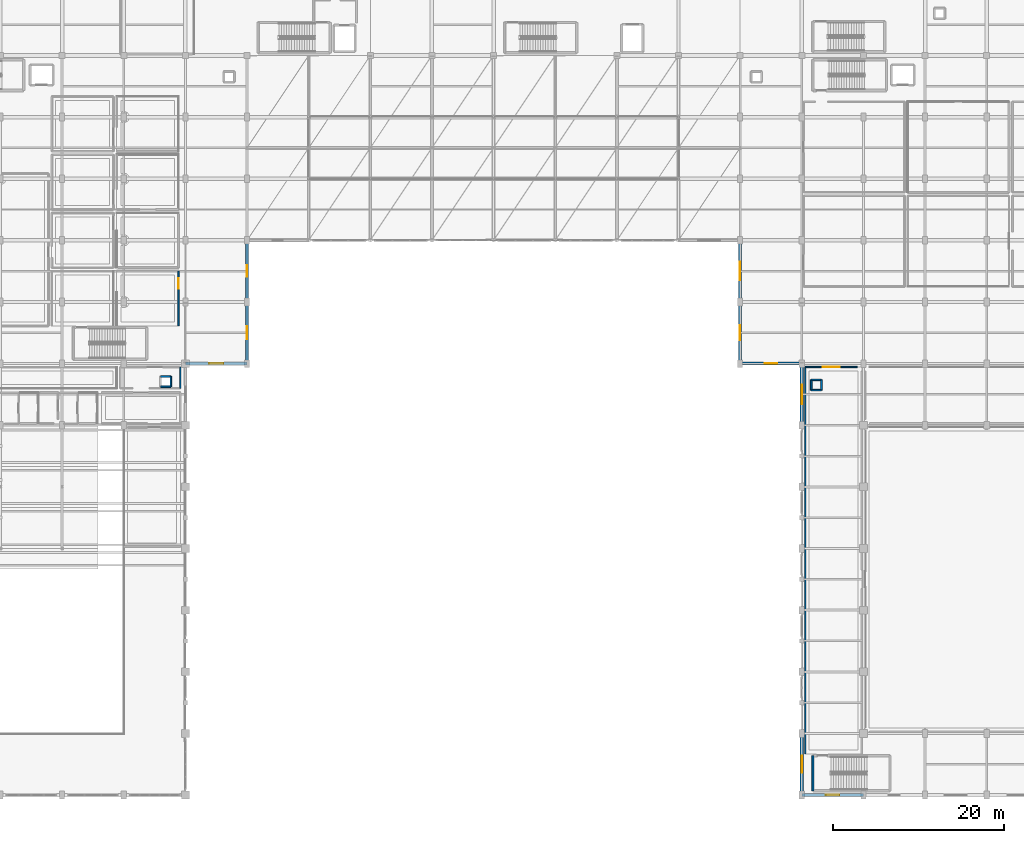
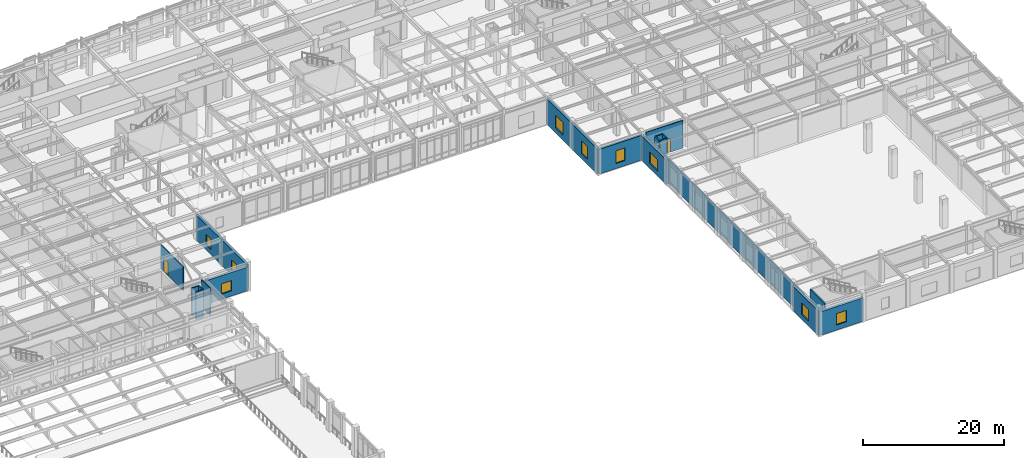
# One storey, part 88 of 117: 21 walls, 9 windows, 2 doors, 11 openings.
"""IFC4 building model written with IfcOpenShell, lengths in metres."""

from ifc_helpers import new_model, si_unit, direction, frame, frame_2d, origin, place, context, subcontext, project, spatial, rectangle, extrude, material, layer, layer_set, type_object, element, fill, save


model = new_model("IFC4")

# Units and contexts
model_context = context("Model", 3, precision=1e-05, world=origin(), true_north=direction((0.0, 1.0)))
body_context = subcontext(model_context, "Body", "Model", "MODEL_VIEW")
ifc_project = project(units=[si_unit("LENGTHUNIT", "METRE"), si_unit("AREAUNIT", "SQUARE_METRE"), si_unit("VOLUMEUNIT", "CUBIC_METRE"), si_unit("PLANEANGLEUNIT", "RADIAN"), si_unit("MASSUNIT", "GRAM", prefix="KILO")], contexts=[model_context])

# Site, building, storey
site_placement = place(None, origin())
site = spatial("IfcSite", under=ifc_project, at=site_placement, CompositionType="ELEMENT")
building_placement = place(site_placement, origin())
building = spatial("IfcBuilding", under=site, at=building_placement, Name="Carrowvane Square Congress Hotel", CompositionType="ELEMENT")
storey_placement = place(building_placement, frame((0.0, 0.0, 5.39990234375)))
storey = spatial("IfcBuildingStorey", under=building, at=storey_placement, Name="L01", CompositionType="ELEMENT", Elevation=5.39990234375)

# Wall, opening, window
ifc_material_1 = material(Name="Portland limestone cladding", Category="masonry")
ifc_layer_1 = layer(ifc_material_1, 0.3798828125)
ifc_layer_set_1 = layer_set([ifc_layer_1], Name="Portland limestone cladding")
wall_type_1 = type_object("IfcWallType", Name="WL-EXT-LS380", PredefinedType="STANDARD", material=ifc_layer_set_1)
wall_1_placement = place(storey_placement, frame((141.199951171875, 5.39990234375, 0.0), z_axis=(0.0, 0.0, 1.0), x_axis=(-1.0, 0.0, 0.0)))
wall_1 = element("IfcWall", 1, at=wall_1_placement, inside=storey, type_object=wall_type_1, Name="L01 exterior facade wall 244", PredefinedType="STANDARD", context=body_context, shape_type="SweptSolid", body=[
    extrude(rectangle(XDim=7.199951171875, YDim=0.3798828125, at=frame_2d((3.60009765625, 0.0))), origin(), (0.0, 0.0, 1.0), 4.114990234375),
])
opening_1_placement = place(wall_1_placement, frame((2.800048828125, 0.0, 0.89990234375)))
opening_1 = element("IfcOpeningElement", 2, at=opening_1_placement, cuts=wall_1, Name="Opening W-30", PredefinedType="OPENING", context=body_context, shape_type="SweptSolid", body=[
    extrude(rectangle(XDim=1.60009765625, YDim=1.949951171875, at=frame_2d((0.800048828125, 0.97509765625))), frame((0.0, 0.199951171875, 0.0), z_axis=(0.0, -1.0, 0.0), x_axis=(1.0, 0.0, 0.0)), (0.0, 0.0, 1.0), 0.39990234375),
])
ifc_material_2 = material(Name="Double-glazed low-E glass", Category="glass")
window_type_1 = type_object("IfcWindowType", Name="WIN-30", PartitioningType="SINGLE_PANEL", PredefinedType="WINDOW", material=ifc_material_2)
window_1_placement = place(opening_1_placement, origin())
window_1 = element("IfcWindow", 3, at=window_1_placement, inside=storey, type_object=window_type_1, Name="L01 facade window 67", OverallHeight=1.949951171875, OverallWidth=1.60009765625, PartitioningType="SINGLE_PANEL", PredefinedType="WINDOW", context=body_context, shape_type="SweptSolid", body=[
    extrude(rectangle(XDim=1.60009765625, YDim=1.949951171875, at=frame_2d((0.800048828125, 0.97509765625))), frame((0.0, 0.030029296875, 0.0), z_axis=(0.0, -1.0, 0.0), x_axis=(1.0, 0.0, 0.0)), (0.0, 0.0, 1.0), 0.06005859375),
])
fill(opening_1, window_1)

wall_2_placement = place(storey_placement, frame((134.0, 5.39990234375, 0.0), z_axis=(0.0, 0.0, 1.0), x_axis=(0.0, 1.0, 0.0)))
wall_2 = element("IfcWall", 4, at=wall_2_placement, inside=storey, type_object=wall_type_1, Name="L01 exterior facade wall 245", PredefinedType="STANDARD", context=body_context, shape_type="SweptSolid", body=[
    extrude(rectangle(XDim=7.2001953125, YDim=0.3798828125, at=frame_2d((3.60009765625, 0.0))), origin(), (0.0, 0.0, 1.0), 4.30517578125),
])
opening_2_placement = place(wall_2_placement, frame((2.625, 0.0, 0.89990234375)))
opening_2 = element("IfcOpeningElement", 5, at=opening_2_placement, cuts=wall_2, Name="Opening W-31", PredefinedType="OPENING", context=body_context, shape_type="SweptSolid", body=[
    extrude(rectangle(XDim=1.949951171875, YDim=1.949951171875, at=frame_2d((0.97509765625, 0.97509765625))), frame((0.0, 0.199951171875, 0.0), z_axis=(0.0, -1.0, 0.0), x_axis=(1.0, 0.0, 0.0)), (0.0, 0.0, 1.0), 0.39990234375),
])
ifc_material_3 = material(Name="Double-glazed low-E glass", Category="glass")
window_type_2 = type_object("IfcWindowType", Name="WIN-31", PartitioningType="SINGLE_PANEL", PredefinedType="WINDOW", material=ifc_material_3)
window_2_placement = place(opening_2_placement, origin())
window_2 = element("IfcWindow", 6, at=window_2_placement, inside=storey, type_object=window_type_2, Name="L01 facade window 68", OverallHeight=1.949951171875, OverallWidth=1.949951171875, PartitioningType="SINGLE_PANEL", PredefinedType="WINDOW", context=body_context, shape_type="SweptSolid", body=[
    extrude(rectangle(XDim=1.949951171875, YDim=1.949951171875, at=frame_2d((0.97509765625, 0.97509765625))), frame((0.0, 0.030029296875, 0.0), z_axis=(0.0, -1.0, 0.0), x_axis=(1.0, 0.0, 0.0)), (0.0, 0.0, 1.0), 0.06005859375),
])
fill(opening_2, window_2)

wall_3_placement = place(storey_placement, frame((134.0, 48.60009765625, 0.0), z_axis=(0.0, 0.0, 1.0), x_axis=(0.0, 1.0, 0.0)))
wall_3 = element("IfcWall", 7, at=wall_3_placement, inside=storey, type_object=wall_type_1, Name="L01 exterior facade wall 246", PredefinedType="STANDARD", context=body_context, shape_type="SweptSolid", body=[
    extrude(rectangle(XDim=7.199951171875, YDim=0.3798828125, at=frame_2d((3.60009765625, 0.0))), origin(), (0.0, 0.0, 1.0), 4.30517578125),
])
opening_3_placement = place(wall_3_placement, frame((2.449951171875, 0.0, 0.89990234375)))
opening_3 = element("IfcOpeningElement", 8, at=opening_3_placement, cuts=wall_3, Name="Opening W-32", PredefinedType="OPENING", context=body_context, shape_type="SweptSolid", body=[
    extrude(rectangle(XDim=2.300048828125, YDim=1.949951171875, at=frame_2d((1.14990234375, 0.97509765625))), frame((0.0, 0.199951171875, 0.0), z_axis=(0.0, -1.0, 0.0), x_axis=(1.0, 0.0, 0.0)), (0.0, 0.0, 1.0), 0.39990234375),
])
ifc_material_4 = material(Name="Double-glazed low-E glass", Category="glass")
window_type_3 = type_object("IfcWindowType", Name="WIN-32", PartitioningType="SINGLE_PANEL", PredefinedType="WINDOW", material=ifc_material_4)
window_3_placement = place(opening_3_placement, origin())
window_3 = element("IfcWindow", 9, at=window_3_placement, inside=storey, type_object=window_type_3, Name="L01 facade window 69", OverallHeight=1.949951171875, OverallWidth=2.300048828125, PartitioningType="SINGLE_PANEL", PredefinedType="WINDOW", context=body_context, shape_type="SweptSolid", body=[
    extrude(rectangle(XDim=2.300048828125, YDim=1.949951171875, at=frame_2d((1.14990234375, 0.97509765625))), frame((0.0, 0.030029296875, 0.0), z_axis=(0.0, -1.0, 0.0), x_axis=(1.0, 0.0, 0.0)), (0.0, 0.0, 1.0), 0.06005859375),
])
fill(opening_3, window_3)

wall_4_placement = place(storey_placement, frame((69.199951171875, 70.199951171875, 0.0), z_axis=(0.0, 0.0, 1.0), x_axis=(0.0, -1.0, 0.0)))
wall_4 = element("IfcWall", 10, at=wall_4_placement, inside=storey, type_object=wall_type_1, Name="L01 exterior facade wall 252", PredefinedType="STANDARD", context=body_context, shape_type="SweptSolid", body=[
    extrude(rectangle(XDim=7.199951171875, YDim=0.3798828125, at=frame_2d((3.60009765625, 0.0))), origin(), (0.0, 0.0, 1.0), 4.406982421875),
])
opening_4_placement = place(wall_4_placement, frame((2.925048828125, 0.0, 0.89990234375)))
opening_4 = element("IfcOpeningElement", 11, at=opening_4_placement, cuts=wall_4, Name="Opening W-02", PredefinedType="OPENING", context=body_context, shape_type="SweptSolid", body=[
    extrude(rectangle(XDim=1.35009765625, YDim=1.800048828125, at=frame_2d((0.675048828125, 0.89990234375))), frame((0.0, 0.199951171875, 0.0), z_axis=(0.0, -1.0, 0.0), x_axis=(1.0, 0.0, 0.0)), (0.0, 0.0, 1.0), 0.39990234375),
])
ifc_material_5 = material(Name="Double-glazed low-E glass", Category="glass")
window_type_4 = type_object("IfcWindowType", Name="WIN-02", PartitioningType="SINGLE_PANEL", PredefinedType="WINDOW", material=ifc_material_5)
window_4_placement = place(opening_4_placement, origin())
window_4 = element("IfcWindow", 12, at=window_4_placement, inside=storey, type_object=window_type_4, Name="L01 facade window 75", OverallHeight=1.800048828125, OverallWidth=1.35009765625, PartitioningType="SINGLE_PANEL", PredefinedType="WINDOW", context=body_context, shape_type="SweptSolid", body=[
    extrude(rectangle(XDim=1.35009765625, YDim=1.800048828125, at=frame_2d((0.675048828125, 0.89990234375))), frame((0.0, 0.030029296875, 0.0), z_axis=(0.0, -1.0, 0.0), x_axis=(1.0, 0.0, 0.0)), (0.0, 0.0, 1.0), 0.06005859375),
])
fill(opening_4, window_4)

wall_5_placement = place(storey_placement, frame((69.199951171875, 63.0, 0.0), z_axis=(0.0, 0.0, 1.0), x_axis=(0.0, -1.0, 0.0)))
wall_5 = element("IfcWall", 13, at=wall_5_placement, inside=storey, type_object=wall_type_1, Name="L01 exterior facade wall 253", PredefinedType="STANDARD", context=body_context, shape_type="SweptSolid", body=[
    extrude(rectangle(XDim=7.199951171875, YDim=0.3798828125, at=frame_2d((3.60009765625, 0.0))), origin(), (0.0, 0.0, 1.0), 4.406982421875),
])
opening_5_placement = place(wall_5_placement, frame((2.85009765625, 0.0, 0.89990234375)))
opening_5 = element("IfcOpeningElement", 14, at=opening_5_placement, cuts=wall_5, Name="Opening W-03", PredefinedType="OPENING", context=body_context, shape_type="SweptSolid", body=[
    extrude(rectangle(XDim=1.5, YDim=1.800048828125, at=frame_2d((0.75, 0.89990234375))), frame((0.0, 0.199951171875, 0.0), z_axis=(0.0, -1.0, 0.0), x_axis=(1.0, 0.0, 0.0)), (0.0, 0.0, 1.0), 0.39990234375),
])
ifc_material_6 = material(Name="Double-glazed low-E glass", Category="glass")
window_type_5 = type_object("IfcWindowType", Name="WIN-03", PartitioningType="SINGLE_PANEL", PredefinedType="WINDOW", material=ifc_material_6)
window_5_placement = place(opening_5_placement, origin())
window_5 = element("IfcWindow", 15, at=window_5_placement, inside=storey, type_object=window_type_5, Name="L01 facade window 76", OverallHeight=1.800048828125, OverallWidth=1.5, PartitioningType="SINGLE_PANEL", PredefinedType="WINDOW", context=body_context, shape_type="SweptSolid", body=[
    extrude(rectangle(XDim=1.5, YDim=1.800048828125, at=frame_2d((0.75, 0.89990234375))), frame((0.0, 0.030029296875, 0.0), z_axis=(0.0, -1.0, 0.0), x_axis=(1.0, 0.0, 0.0)), (0.0, 0.0, 1.0), 0.06005859375),
])
fill(opening_5, window_5)

wall_6_placement = place(storey_placement, frame((69.199951171875, 55.800048828125, 0.0), z_axis=(0.0, 0.0, 1.0), x_axis=(-1.0, 0.0, 0.0)))
wall_6 = element("IfcWall", 16, at=wall_6_placement, inside=storey, type_object=wall_type_1, Name="L01 exterior facade wall 254", PredefinedType="STANDARD", context=body_context, shape_type="SweptSolid", body=[
    extrude(rectangle(XDim=7.199951171875, YDim=0.3798828125, at=frame_2d((3.60009765625, 0.0))), origin(), (0.0, 0.0, 1.0), 4.114990234375),
])
opening_6_placement = place(wall_6_placement, frame((2.77490234375, 0.0, 0.89990234375)))
opening_6 = element("IfcOpeningElement", 17, at=opening_6_placement, cuts=wall_6, Name="Opening W-04", PredefinedType="OPENING", context=body_context, shape_type="SweptSolid", body=[
    extrude(rectangle(XDim=1.64990234375, YDim=1.800048828125, at=frame_2d((0.824951171875, 0.89990234375))), frame((0.0, 0.199951171875, 0.0), z_axis=(0.0, -1.0, 0.0), x_axis=(1.0, 0.0, 0.0)), (0.0, 0.0, 1.0), 0.39990234375),
])
ifc_material_7 = material(Name="Double-glazed low-E glass", Category="glass")
window_type_6 = type_object("IfcWindowType", Name="WIN-04", PartitioningType="SINGLE_PANEL", PredefinedType="WINDOW", material=ifc_material_7)
window_6_placement = place(opening_6_placement, origin())
window_6 = element("IfcWindow", 18, at=window_6_placement, inside=storey, type_object=window_type_6, Name="L01 facade window 77", OverallHeight=1.800048828125, OverallWidth=1.64990234375, PartitioningType="SINGLE_PANEL", PredefinedType="WINDOW", context=body_context, shape_type="SweptSolid", body=[
    extrude(rectangle(XDim=1.64990234375, YDim=1.800048828125, at=frame_2d((0.824951171875, 0.89990234375))), frame((0.0, 0.030029296875, 0.0), z_axis=(0.0, -1.0, 0.0), x_axis=(1.0, 0.0, 0.0)), (0.0, 0.0, 1.0), 0.06005859375),
])
fill(opening_6, window_6)

ifc_material_8 = material(Name="Glazed terracotta rainscreen", Category="masonry")
ifc_layer_2 = layer(ifc_material_8, 0.360107421875)
ifc_layer_set_2 = layer_set([ifc_layer_2], Name="Glazed terracotta rainscreen")
wall_type_2 = type_object("IfcWallType", Name="WL-EXT-TC360", PredefinedType="STANDARD", material=ifc_layer_set_2)
wall_7_placement = place(storey_placement, frame((134.0, 55.800048828125, 0.0), z_axis=(0.0, 0.0, 1.0), x_axis=(-1.0, 0.0, 0.0)))
wall_7 = element("IfcWall", 19, at=wall_7_placement, inside=storey, type_object=wall_type_2, Name="L01 exterior facade wall 247", PredefinedType="STANDARD", context=body_context, shape_type="SweptSolid", body=[
    extrude(rectangle(XDim=7.199951171875, YDim=0.360107421875, at=frame_2d((3.60009765625, 0.0))), origin(), (0.0, 0.0, 1.0), 4.30517578125),
])
opening_7_placement = place(wall_7_placement, frame((2.875, 0.0, 0.89990234375)))
opening_7 = element("IfcOpeningElement", 20, at=opening_7_placement, cuts=wall_7, Name="Opening W-33", PredefinedType="OPENING", context=body_context, shape_type="SweptSolid", body=[
    extrude(rectangle(XDim=1.449951171875, YDim=2.199951171875, at=frame_2d((0.72509765625, 1.10009765625))), frame((0.0, 0.18994140625, 0.0), z_axis=(0.0, -1.0, 0.0), x_axis=(1.0, 0.0, 0.0)), (0.0, 0.0, 1.0), 0.380126953125),
])
ifc_material_9 = material(Name="Double-glazed low-E glass", Category="glass")
window_type_7 = type_object("IfcWindowType", Name="WIN-33", PartitioningType="SINGLE_PANEL", PredefinedType="WINDOW", material=ifc_material_9)
window_7_placement = place(opening_7_placement, origin())
window_7 = element("IfcWindow", 21, at=window_7_placement, inside=storey, type_object=window_type_7, Name="L01 facade window 70", OverallHeight=2.199951171875, OverallWidth=1.449951171875, PartitioningType="SINGLE_PANEL", PredefinedType="WINDOW", context=body_context, shape_type="SweptSolid", body=[
    extrude(rectangle(XDim=1.449951171875, YDim=2.199951171875, at=frame_2d((0.72509765625, 1.10009765625))), frame((0.0, 0.030029296875, 0.0), z_axis=(0.0, -1.0, 0.0), x_axis=(1.0, 0.0, 0.0)), (0.0, 0.0, 1.0), 0.06005859375),
])
fill(opening_7, window_7)

wall_8_placement = place(storey_placement, frame((126.800048828125, 55.800048828125, 0.0), z_axis=(0.0, 0.0, 1.0), x_axis=(0.0, 1.0, 0.0)))
wall_8 = element("IfcWall", 22, at=wall_8_placement, inside=storey, type_object=wall_type_2, Name="L01 exterior facade wall 248", PredefinedType="STANDARD", context=body_context, shape_type="SweptSolid", body=[
    extrude(rectangle(XDim=7.199951171875, YDim=0.360107421875, at=frame_2d((3.60009765625, 0.0))), origin(), (0.0, 0.0, 1.0), 4.406982421875),
])
opening_8_placement = place(wall_8_placement, frame((2.72509765625, 0.0, 0.89990234375)))
opening_8 = element("IfcOpeningElement", 23, at=opening_8_placement, cuts=wall_8, Name="Opening W-34", PredefinedType="OPENING", context=body_context, shape_type="SweptSolid", body=[
    extrude(rectangle(XDim=1.75, YDim=2.199951171875, at=frame_2d((0.875, 1.10009765625))), frame((0.0, 0.18994140625, 0.0), z_axis=(0.0, -1.0, 0.0), x_axis=(1.0, 0.0, 0.0)), (0.0, 0.0, 1.0), 0.380126953125),
])
ifc_material_10 = material(Name="Double-glazed low-E glass", Category="glass")
window_type_8 = type_object("IfcWindowType", Name="WIN-34", PartitioningType="SINGLE_PANEL", PredefinedType="WINDOW", material=ifc_material_10)
window_8_placement = place(opening_8_placement, origin())
window_8 = element("IfcWindow", 24, at=window_8_placement, inside=storey, type_object=window_type_8, Name="L01 facade window 71", OverallHeight=2.199951171875, OverallWidth=1.75, PartitioningType="SINGLE_PANEL", PredefinedType="WINDOW", context=body_context, shape_type="SweptSolid", body=[
    extrude(rectangle(XDim=1.75, YDim=2.199951171875, at=frame_2d((0.875, 1.10009765625))), frame((0.0, 0.030029296875, 0.0), z_axis=(0.0, -1.0, 0.0), x_axis=(1.0, 0.0, 0.0)), (0.0, 0.0, 1.0), 0.06005859375),
])
fill(opening_8, window_8)

wall_9_placement = place(storey_placement, frame((126.800048828125, 63.0, 0.0), z_axis=(0.0, 0.0, 1.0), x_axis=(0.0, 1.0, 0.0)))
wall_9 = element("IfcWall", 25, at=wall_9_placement, inside=storey, type_object=wall_type_2, Name="L01 exterior facade wall 249", PredefinedType="STANDARD", context=body_context, shape_type="SweptSolid", body=[
    extrude(rectangle(XDim=7.199951171875, YDim=0.360107421875, at=frame_2d((3.60009765625, 0.0))), origin(), (0.0, 0.0, 1.0), 4.406982421875),
])
opening_9_placement = place(wall_9_placement, frame((2.52490234375, 0.0, 0.89990234375)))
opening_9 = element("IfcOpeningElement", 26, at=opening_9_placement, cuts=wall_9, Name="Opening W-35", PredefinedType="OPENING", context=body_context, shape_type="SweptSolid", body=[
    extrude(rectangle(XDim=2.14990234375, YDim=2.199951171875, at=frame_2d((1.074951171875, 1.10009765625))), frame((0.0, 0.18994140625, 0.0), z_axis=(0.0, -1.0, 0.0), x_axis=(1.0, 0.0, 0.0)), (0.0, 0.0, 1.0), 0.380126953125),
])
ifc_material_11 = material(Name="Double-glazed low-E glass", Category="glass")
window_type_9 = type_object("IfcWindowType", Name="WIN-35", PartitioningType="SINGLE_PANEL", PredefinedType="WINDOW", material=ifc_material_11)
window_9_placement = place(opening_9_placement, origin())
window_9 = element("IfcWindow", 27, at=window_9_placement, inside=storey, type_object=window_type_9, Name="L01 facade window 72", OverallHeight=2.199951171875, OverallWidth=2.14990234375, PartitioningType="SINGLE_PANEL", PredefinedType="WINDOW", context=body_context, shape_type="SweptSolid", body=[
    extrude(rectangle(XDim=2.14990234375, YDim=2.199951171875, at=frame_2d((1.074951171875, 1.10009765625))), frame((0.0, 0.030029296875, 0.0), z_axis=(0.0, -1.0, 0.0), x_axis=(1.0, 0.0, 0.0)), (0.0, 0.0, 1.0), 0.06005859375),
])
fill(opening_9, window_9)

# Wall
ifc_material_12 = material(Name="Acoustic gypsum board", Category="gypsum")
ifc_layer_3 = layer(ifc_material_12, 0.155029296875)
ifc_layer_set_3 = layer_set([ifc_layer_3], Name="Acoustic gypsum board")
wall_type_3 = type_object("IfcWallType", Name="WL-FIR-155", PredefinedType="PARTITIONING", material=ifc_layer_set_3)
wall_10_placement = place(storey_placement, frame((134.39990234375, 10.199951171875, 0.0), z_axis=(0.0, 0.0, 1.0), x_axis=(0.0, 1.0, 0.0)))
element("IfcWall", 28, at=wall_10_placement, inside=storey, type_object=wall_type_3, Name="L01 Ballroom Pre-Function Champagne Gallery partition", PredefinedType="PARTITIONING", context=body_context, shape_type="SweptSolid", body=[
    extrude(rectangle(XDim=45.199951171875, YDim=0.155029296875, at=frame_2d((22.60009765625, 0.0))), origin(), (0.0, 0.0, 1.0), 4.15283203125),
])

# Wall, opening, door
ifc_material_13 = material(Name="Acoustic gypsum board", Category="gypsum")
ifc_layer_4 = layer(ifc_material_13, 0.169921875)
ifc_layer_set_4 = layer_set([ifc_layer_4], Name="Acoustic gypsum board")
wall_type_4 = type_object("IfcWallType", Name="WL-FIR-170", PredefinedType="PARTITIONING", material=ifc_layer_set_4)
wall_11_placement = place(storey_placement, frame((61.199951171875, 66.60009765625, 0.0), z_axis=(0.0, 0.0, 1.0), x_axis=(0.0, -1.0, 0.0)))
wall_11 = element("IfcWall", 29, at=wall_11_placement, inside=storey, type_object=wall_type_4, Name="L01 Thermal Treatment Suite 102 partition", PredefinedType="PARTITIONING", context=body_context, shape_type="SweptSolid", body=[
    extrude(rectangle(XDim=6.400146484375, YDim=0.169921875, at=frame_2d((3.2001953125, 0.0))), origin(), (0.0, 0.0, 1.0), 4.114990234375),
])
opening_10_placement = place(wall_11_placement, frame((0.840087890625, 0.0, 0.0)))
opening_10 = element("IfcOpeningElement", 30, at=opening_10_placement, cuts=wall_11, Name="Opening ID-24", PredefinedType="OPENING", context=body_context, shape_type="SweptSolid", body=[
    extrude(rectangle(XDim=1.219970703125, YDim=2.239990234375, at=frame_2d((0.60986328125, 1.1201171875))), frame((0.0, 0.094970703125, 0.0), z_axis=(0.0, -1.0, 0.0), x_axis=(1.0, 0.0, 0.0)), (0.0, 0.0, 1.0), 0.18994140625),
])
ifc_material_14 = material(Name="European oak timber", Category="wood")
door_type_1 = type_object("IfcDoorType", Name="DR-INT-1220x2240", OperationType="NOTDEFINED", PredefinedType="DOOR", material=ifc_material_14)
door_1_placement = place(opening_10_placement, origin())
door_1 = element("IfcDoor", 31, at=door_1_placement, inside=storey, type_object=door_type_1, Name="L01 Thermal Treatment Suite 102 entrance door", OperationType="SINGLE_SWING_LEFT", OverallHeight=2.239990234375, OverallWidth=1.219970703125, PredefinedType="DOOR", context=body_context, shape_type="SweptSolid", body=[
    extrude(rectangle(XDim=1.219970703125, YDim=2.239990234375, at=frame_2d((0.60986328125, 1.1201171875))), frame((0.0, 0.02490234375, 0.0), z_axis=(0.0, -1.0, 0.0), x_axis=(1.0, 0.0, 0.0)), (0.0, 0.0, 1.0), 0.050048828125),
])
fill(opening_10, door_1)

# Walls
ifc_material_15 = material(Name="Standing-seam zinc cladding", Category="metal")
ifc_layer_5 = layer(ifc_material_15, 0.195068359375)
ifc_layer_set_5 = layer_set([ifc_layer_5], Name="Standing-seam zinc cladding")
wall_type_5 = type_object("IfcWallType", Name="WL-PAR-195", PredefinedType="PARAPET", material=ifc_layer_set_5)
for number, where, z_axis, x_axis, name in (
    (32, (59.10009765625, 53.10009765625, 0.0), (0.0, 0.0, 1.0), (1.0, 0.0, 0.0), "L01 service riser RSR-V1 enclosure S"),
    (33, (60.300048828125, 53.10009765625, 0.0), (0.0, 0.0, 1.0), (0.0, 1.0, 0.0), "L01 service riser RSR-V1 enclosure E"),
    (34, (60.300048828125, 54.300048828125, 0.0), (0.0, 0.0, 1.0), (-1.0, 0.0, 0.0), "L01 service riser RSR-V1 enclosure N"),
    (35, (135.10009765625, 52.699951171875, 0.0), (0.0, 0.0, 1.0), (1.0, 0.0, 0.0), "L01 service riser RSR-V2 enclosure S"),
    (36, (136.300048828125, 52.699951171875, 0.0), (0.0, 0.0, 1.0), (0.0, 1.0, 0.0), "L01 service riser RSR-V2 enclosure E"),
    (37, (136.300048828125, 53.89990234375, 0.0), (0.0, 0.0, 1.0), (-1.0, 0.0, 0.0), "L01 service riser RSR-V2 enclosure N"),
    (38, (135.10009765625, 53.89990234375, 0.0), (0.0, 0.0, 1.0), (0.0, -1.0, 0.0), "L01 service riser RSR-V2 enclosure W"),
):
    element("IfcWall", number, at=place(storey_placement, frame(where, z_axis=z_axis, x_axis=x_axis)), inside=storey, type_object=wall_type_5, Name=name, PredefinedType="PARAPET", context=body_context, shape_type="SweptSolid", body=[
        extrude(rectangle(XDim=1.199951171875, YDim=0.195068359375, at=frame_2d((0.60009765625, 0.0))), origin(), (0.0, 0.0, 1.0), 4.780029296875),
    ])
ifc_material_16 = material(Name="Acoustic gypsum board", Category="gypsum")
ifc_layer_6 = layer(ifc_material_16, 0.137939453125)
ifc_layer_set_6 = layer_set([ifc_layer_6], Name="Acoustic gypsum board")
wall_type_6 = type_object("IfcWallType", Name="WL-PRT-138", PredefinedType="PARTITIONING", material=ifc_layer_set_6)
wall_12_placement = place(storey_placement, frame((61.39990234375, 55.39990234375, 0.0), z_axis=(0.0, 0.0, 1.0), x_axis=(0.0, -1.0, 0.0)))
element("IfcWall", 39, at=wall_12_placement, inside=storey, type_object=wall_type_6, Name="L01 Circle Accessible WC partition", PredefinedType="PARTITIONING", context=body_context, shape_type="SweptSolid", body=[
    extrude(rectangle(XDim=2.5, YDim=0.137939453125, at=frame_2d((1.25, 0.0))), origin(), (0.0, 0.0, 1.0), 4.780029296875),
])

# Wall, opening, door
ifc_material_17 = material(Name="Acoustic gypsum board", Category="gypsum")
ifc_layer_7 = layer(ifc_material_17, 0.14794921875)
ifc_layer_set_7 = layer_set([ifc_layer_7], Name="Acoustic gypsum board")
wall_type_7 = type_object("IfcWallType", Name="WL-PRT-148", PredefinedType="PARTITIONING", material=ifc_layer_set_7)
wall_13_placement = place(storey_placement, frame((134.39990234375, 55.39990234375, 0.0), z_axis=(0.0, 0.0, 1.0), x_axis=(1.0, 0.0, 0.0)))
wall_13 = element("IfcWall", 40, at=wall_13_placement, inside=storey, type_object=wall_type_7, Name="L01 Ballroom Pre-Function Champagne Gallery partition", PredefinedType="PARTITIONING", context=body_context, shape_type="SweptSolid", body=[
    extrude(rectangle(XDim=6.090087890625, YDim=0.14794921875, at=frame_2d((3.044921875, 0.0))), origin(), (0.0, 0.0, 1.0), 4.780029296875),
])
opening_11_placement = place(wall_13_placement, frame((2.070068359375, 0.0, 0.0)))
opening_11 = element("IfcOpeningElement", 41, at=opening_11_placement, cuts=wall_13, Name="Opening ID-14", PredefinedType="OPENING", context=body_context, shape_type="SweptSolid", body=[
    extrude(rectangle(XDim=1.949951171875, YDim=2.35009765625, at=frame_2d((0.97509765625, 1.175048828125))), frame((0.0, 0.083984375, 0.0), z_axis=(0.0, -1.0, 0.0), x_axis=(1.0, 0.0, 0.0)), (0.0, 0.0, 1.0), 0.16796875),
])
ifc_material_18 = material(Name="European oak timber", Category="wood")
door_type_2 = type_object("IfcDoorType", Name="DR-INT-1950x2350", OperationType="DOUBLE_DOOR_SINGLE_SWING", PredefinedType="DOOR", material=ifc_material_18)
door_2_placement = place(opening_11_placement, origin())
door_2 = element("IfcDoor", 42, at=door_2_placement, inside=storey, type_object=door_type_2, Name="L01 Ballroom Pre-Function Champagne Gallery entrance door", OperationType="DOUBLE_DOOR_SINGLE_SWING", OverallHeight=2.35009765625, OverallWidth=1.949951171875, PredefinedType="DOOR", context=body_context, shape_type="SweptSolid", body=[
    extrude(rectangle(XDim=1.949951171875, YDim=2.35009765625, at=frame_2d((0.97509765625, 1.175048828125))), frame((0.0, 0.02490234375, 0.0), z_axis=(0.0, -1.0, 0.0), x_axis=(1.0, 0.0, 0.0)), (0.0, 0.0, 1.0), 0.050048828125),
])
fill(opening_11, door_2)

# Wall
ifc_material_19 = material(Name="Concrete C40/50", Category="concrete")
ifc_layer_8 = layer(ifc_material_19, 0.22509765625)
ifc_layer_set_8 = layer_set([ifc_layer_8], Name="Concrete C40/50")
wall_type_8 = type_object("IfcWallType", Name="WL-SHR-225", PredefinedType="SHEAR", material=ifc_layer_set_8)
wall_14_placement = place(storey_placement, frame((135.300048828125, 10.0, 0.0), z_axis=(0.0, 0.0, 1.0), x_axis=(0.0, -1.0, 0.0)))
element("IfcWall", 43, at=wall_14_placement, inside=storey, type_object=wall_type_8, Name="L01 ST10 core wall west", PredefinedType="SHEAR", context=body_context, shape_type="SweptSolid", body=[
    extrude(rectangle(XDim=4.10009765625, YDim=0.22509765625, at=frame_2d((2.050048828125, 0.0))), origin(), (0.0, 0.0, 1.0), 4.780029296875),
])

save(model, "model.ifc")
